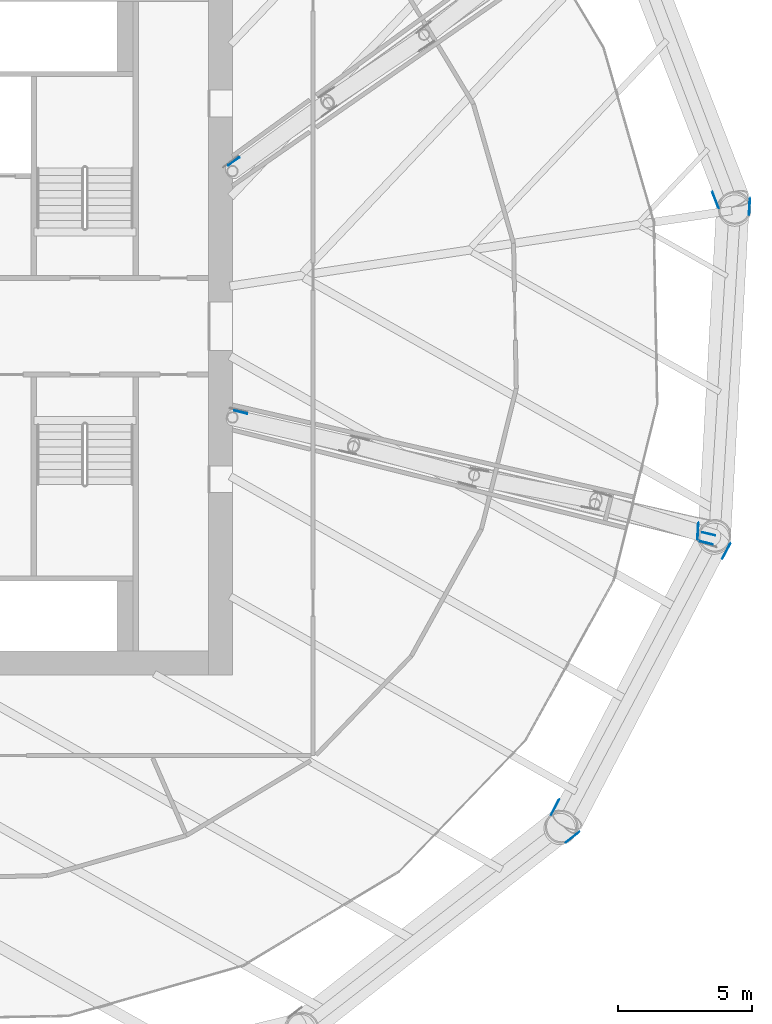
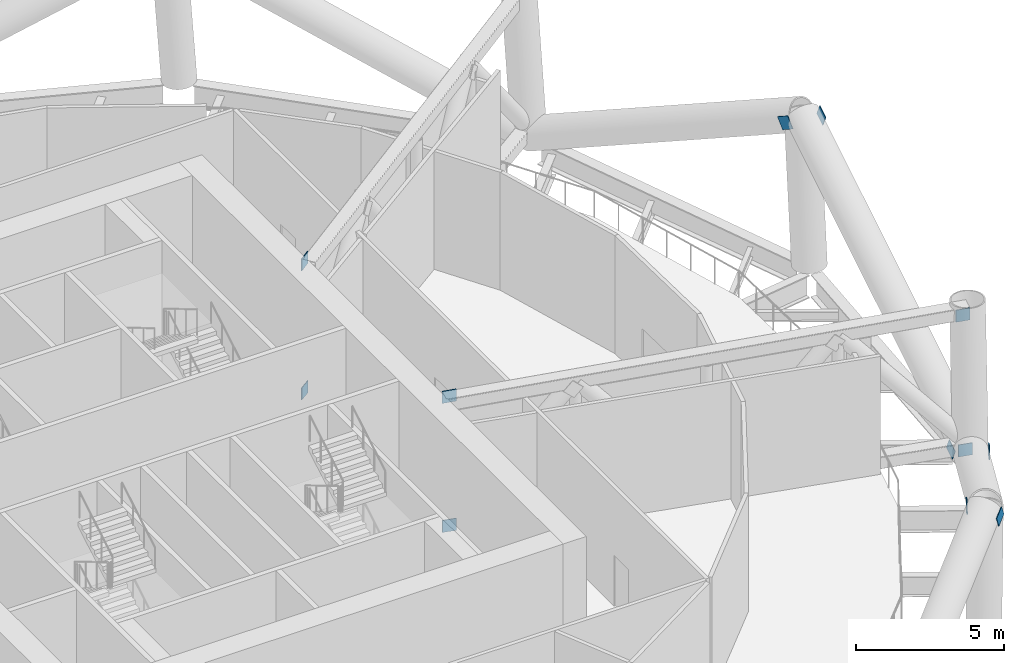
# One storey, part 25 of 39: 12 discrete accessories.
"""IFC4 building model written with IfcOpenShell, lengths in metres."""

from ifc_helpers import new_model, si_unit, direction, frame, origin, origin_2d, place, context, subcontext, project, spatial, rectangle, extrude, material, material_profile, profile_set, type_object, element, save


model = new_model("IFC4")

# Units and contexts
model_context = context("Model", 3, precision=1e-05, world=origin(), true_north=direction((0.0, 1.0)))
body_context = subcontext(model_context, "Body", "Model", "MODEL_VIEW")
ifc_project = project(units=[si_unit("LENGTHUNIT", "METRE"), si_unit("AREAUNIT", "SQUARE_METRE"), si_unit("VOLUMEUNIT", "CUBIC_METRE"), si_unit("PLANEANGLEUNIT", "RADIAN"), si_unit("MASSUNIT", "GRAM", prefix="KILO")], contexts=[model_context])

# Site, building, storey
site_placement = place(None, origin())
site = spatial("IfcSite", under=ifc_project, at=site_placement, CompositionType="ELEMENT")
building_placement = place(site_placement, origin())
building = spatial("IfcBuilding", under=site, at=building_placement, Name="Tarsis Ring Headquarters", CompositionType="ELEMENT")
storey_placement = place(building_placement, frame((0.0, 0.0, 86.800048828125)))
storey = spatial("IfcBuildingStorey", under=building, at=storey_placement, Name="L19", CompositionType="ELEMENT", Elevation=86.800048828125)

# Discrete accessories
ifc_material = material(Name="Structural steel S355", Category="steel")
ifc_material_profile = material_profile(ifc_material, rectangle(XDim=0.02490234375, YDim=0.5, at=origin_2d()), Name="PL 25x500")
ifc_profile_set = profile_set([ifc_material_profile], Name="Structural steel S355")
discrete_accessory_type_1 = type_object("IfcDiscreteAccessoryType", Name="Gusset plate Belt truss 25", PredefinedType="BRACKET", material=ifc_profile_set)
discrete_accessory_1_placement = place(storey_placement, frame((22.85498046875, -18.89794921875, 6.0), z_axis=(-0.710731053345, -0.557455262995, -0.42907458509), x_axis=(0.617153056317, -0.786843126092, 0.0)))
element("IfcDiscreteAccessory", 1, at=discrete_accessory_1_placement, inside=storey, type_object=discrete_accessory_type_1, Name="Gusset plate GP4", PredefinedType="BRACKET", context=body_context, shape_type="SweptSolid", body=[
    extrude(rectangle(XDim=0.02490234375, YDim=0.5, at=origin_2d()), origin(), (0.0, 0.0, 1.0), 0.500244140625),
])
discrete_accessory_2_placement = place(storey_placement, frame((28.5078125, -8.1787109375, 0.0), z_axis=(-0.412701132214, -0.791214004955, 0.451285025048), x_axis=(0.886633635115, -0.462472482514, 0.0)))
element("IfcDiscreteAccessory", 2, at=discrete_accessory_2_placement, inside=storey, type_object=discrete_accessory_type_1, Name="Gusset plate GP4", PredefinedType="BRACKET", context=body_context, shape_type="SweptSolid", body=[
    extrude(rectangle(XDim=0.02490234375, YDim=0.5, at=origin_2d()), origin(), (0.0, 0.0, 1.0), 0.499755859375),
])
for number, where, z_axis, x_axis, name in (
    (3, (21.919189453125, -18.120849609375, 6.0), (0.413015192508, 0.790880155866, -0.451582805047), (-0.886409168766, 0.462902565911, 0.0), "Gusset plate GP4"),
    (4, (27.3349609375, -7.856201171875, 0.0), (0.050788485594, 0.901983970121, 0.428772022613), (-0.998418490957, 0.056218474856, 0.0), "Gusset plate GP4"),
    (5, (29.282958984375, 4.689697265625, 6.0), (-0.05077784822, -0.901795054454, -0.429170467171), (0.998418490957, -0.056218474856, 0.0), "Gusset plate GP4"),
    (6, (28.08154296875, 4.5, 6.0), (-0.321807344565, 0.832108824186, -0.45170226665), (-0.932680989599, -0.360702331071, 0.0), "Gusset plate GP4"),
):
    element("IfcDiscreteAccessory", number, at=place(storey_placement, frame(where, z_axis=z_axis, x_axis=x_axis)), inside=storey, type_object=discrete_accessory_type_1, Name=name, PredefinedType="BRACKET", context=body_context, shape_type="SweptSolid", body=[
        extrude(rectangle(XDim=0.02490234375, YDim=0.5, at=origin_2d()), origin(), (0.0, 0.0, 1.0), 0.5),
    ])
discrete_accessory_type_2 = type_object("IfcDiscreteAccessoryType", Name="Gusset plate Outrigger chord 25", PredefinedType="BRACKET", material=ifc_profile_set)
for number, where, z_axis, x_axis, name in (
    (7, (10.064453125, -3.141357421875, 0.25390625), (0.970343250308, -0.241731207299, 0.0), (0.241731207299, 0.970343250308, 0.0), "Gusset plate GP3"),
    (8, (27.896240234375, -8.133544921875, 0.25390625), (-0.970343250308, 0.241731207299, 0.0), (-0.241731207299, -0.970343250308, 0.0), "Gusset plate GP3"),
    (9, (10.0595703125, -3.14013671875, 5.5859375), (0.97467026033, -0.223646783182, 0.0), (0.223646783182, 0.97467026033, 0.0), "Gusset plate GP3"),
    (10, (27.994140625, -7.7958984375, 5.5859375), (-0.97467026033, 0.223646783182, 0.0), (-0.223646783182, -0.97467026033, 0.0), "Gusset plate GP3"),
    (11, (9.84765625, 6.001708984375, 0.25390625), (0.820377341708, 0.571822539965, 0.0), (-0.571822539965, 0.820377341708, 0.0), "Gusset plate GP3"),
    (12, (9.84326171875, 5.99853515625, 5.5859375), (0.808588255718, 0.588374908298, 0.0), (-0.588374908298, 0.808588255718, 0.0), "Gusset plate GP3"),
):
    element("IfcDiscreteAccessory", number, at=place(storey_placement, frame(where, z_axis=z_axis, x_axis=x_axis)), inside=storey, type_object=discrete_accessory_type_2, Name=name, PredefinedType="BRACKET", context=body_context, shape_type="SweptSolid", body=[
        extrude(rectangle(XDim=0.02490234375, YDim=0.5, at=origin_2d()), origin(), (0.0, 0.0, 1.0), 0.5),
    ])

save(model, "model.ifc")
